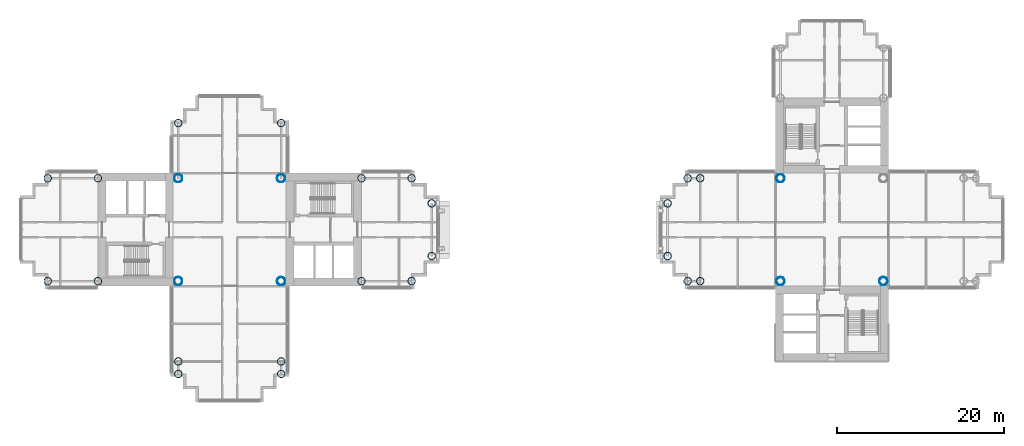
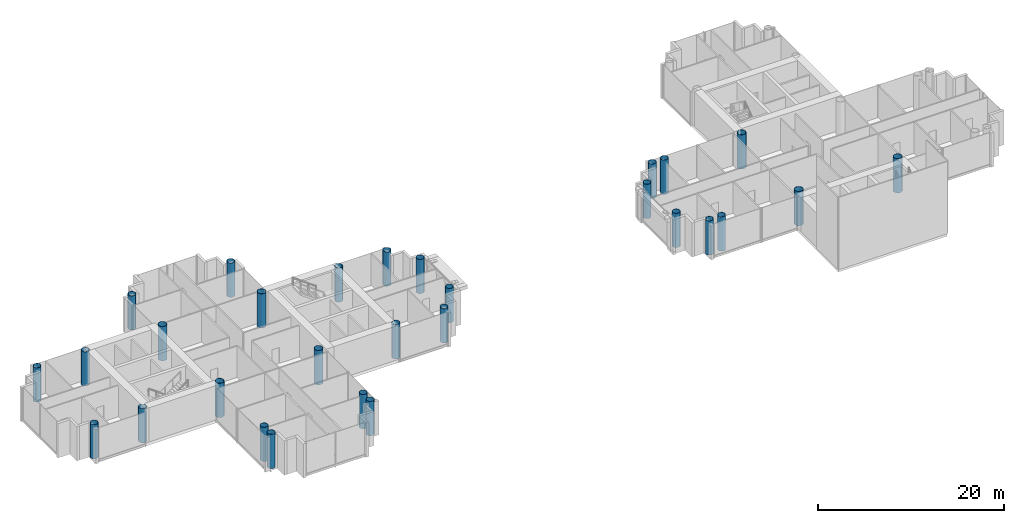
# One storey, part 1 of 20: 29 columns.
"""IFC4 building model written with IfcOpenShell, lengths in metres."""

import ifcopenshell
import ifcopenshell.guid

model = None  # the IFC model being written
_history = None  # IfcOwnerHistory: only IFC2X3 demands one
_inside = {}  # id of a spatial element -> (the spatial element, [elements in it])
_under = {}  # id of a project, library or spatial element -> (it, [spatial elements below it])
_declared = {}  # id of a project -> (the project, [libraries it declares])
_typed = {}  # id of a type object -> (the type object, [elements of that type])
_made_of = {}  # id of a material, layer set ... -> (it, [elements and type objects made of it])


def new_model(schema):
    """Start an empty IFC model of exactly this schema.

    Asked for "IFC4X3", IfcOpenShell would pick the latest addendum, in which some entities
    have other attributes; the version numbers below select the first issue.
    IFC2X3 requires an IfcOwnerHistory on every rooted entity: one is made here for all.
    """
    global model, _history
    if schema == "IFC4X3":
        model = ifcopenshell.file(schema_version=(4, 3, 0, 0))
    else:
        model = ifcopenshell.file(schema=schema)
    _inside.clear()
    _under.clear()
    _declared.clear()
    _typed.clear()
    _made_of.clear()
    _history = None
    if model.schema == "IFC2X3":
        org = make("IfcOrganization", Name="unknown")
        user = make(
            "IfcPersonAndOrganization",
            ThePerson=make("IfcPerson", FamilyName="unknown"),
            TheOrganization=org,
        )
        app = make(
            "IfcApplication",
            ApplicationDeveloper=org,
            Version="unknown",
            ApplicationFullName="unknown",
            ApplicationIdentifier="unknown",
        )
        _history = make(
            "IfcOwnerHistory",
            OwningUser=user,
            OwningApplication=app,
            ChangeAction="ADDED",
            CreationDate=0,
        )
    return model


def make(cls, **values):
    """One entity of the class cls with the attributes given. An attribute that is None is left unset."""
    return model.create_entity(
        cls, **{name: value for name, value in values.items() if value is not None}
    )


def rooted(cls, **values):
    """An entity with a GlobalId (a new one), such as an element, a storey or a relation."""
    return make(cls, GlobalId=ifcopenshell.guid.new(), OwnerHistory=_history, **values)


def si_unit(unit_type, name, prefix=None):
    """IfcSIUnit, for example si_unit("LENGTHUNIT", "METRE", prefix="MILLI")."""
    return make("IfcSIUnit", UnitType=unit_type, Prefix=prefix, Name=name)


def assignment(units):
    """IfcUnitAssignment: the units of a project."""
    return None if units is None else make("IfcUnitAssignment", Units=units)


def point(xyz):
    """IfcCartesianPoint."""
    return None if xyz is None else make("IfcCartesianPoint", Coordinates=xyz)


def direction(xyz):
    """IfcDirection."""
    return None if xyz is None else make("IfcDirection", DirectionRatios=xyz)


def frame(location, z_axis=None, x_axis=None):
    """IfcAxis2Placement3D, a coordinate frame: its origin and axes. An axis left out is left unset."""
    return make(
        "IfcAxis2Placement3D",
        Location=point(location),
        Axis=direction(z_axis),
        RefDirection=direction(x_axis),
    )


def frame_2d(location, x_axis=None):
    """IfcAxis2Placement2D, a coordinate frame in the plane: its origin and x axis."""
    return make(
        "IfcAxis2Placement2D", Location=point(location), RefDirection=direction(x_axis)
    )


def origin():
    """The frame at (0, 0, 0) with its axes left unset."""
    return frame((0.0, 0.0, 0.0))


def origin_2d():
    """The frame at (0, 0) in the plane with its x axis left unset."""
    return frame_2d((0.0, 0.0))


def place(relative_to, where):
    """IfcLocalPlacement: puts the frame where relative to a parent placement (None: the world)."""
    return make(
        "IfcLocalPlacement", PlacementRelTo=relative_to, RelativePlacement=where
    )


def context(
    kind, dimensions, precision=None, world=None, true_north=None, identifier=None
):
    """IfcGeometricRepresentationContext, for example the 3D "Model" context."""
    return make(
        "IfcGeometricRepresentationContext",
        ContextIdentifier=identifier,
        ContextType=kind,
        CoordinateSpaceDimension=dimensions,
        Precision=precision,
        WorldCoordinateSystem=world,
        TrueNorth=true_north,
    )


def subcontext(parent, identifier, kind, view, scale=None):
    """IfcGeometricRepresentationSubContext, for example "Body" below "Model"."""
    return make(
        "IfcGeometricRepresentationSubContext",
        ContextIdentifier=identifier,
        ContextType=kind,
        ParentContext=parent,
        TargetScale=scale,
        TargetView=view,
    )


def project(units=None, contexts=None):
    """IfcProject with its units and contexts."""
    return rooted(
        "IfcProject",
        Name="project",
        RepresentationContexts=contexts,
        UnitsInContext=assignment(units),
    )


def spatial(cls, under=None, at=None, **own):
    """A site, building, storey or space (cls), placed at a placement, below another one or the project."""
    s = rooted(cls, ObjectPlacement=at, **own)
    if under is not None:
        _under.setdefault(under.id(), (under, []))[1].append(s)
    return s


def profile(cls, at=None, kind="AREA", **sizes):
    """A parametric profile (cls). Its sizes go by their IFC names, for example OverallWidth=200.0."""
    return make(cls, ProfileType=kind, Position=at, **sizes)


def hollow_circle(**sizes):
    """IfcCircleHollowProfileDef."""
    return profile("IfcCircleHollowProfileDef", **sizes)


def extrude(swept, where, along, depth):
    """IfcExtrudedAreaSolid: the profile swept, set in the frame where, extruded along a direction by depth."""
    return make(
        "IfcExtrudedAreaSolid",
        SweptArea=swept,
        Position=where,
        ExtrudedDirection=direction(along),
        Depth=depth,
    )


def shape(context_of_items, identifier, shape_type, items):
    """IfcShapeRepresentation: the items that make up one representation, for example the "Body"."""
    return make(
        "IfcShapeRepresentation",
        ContextOfItems=context_of_items,
        RepresentationIdentifier=identifier,
        RepresentationType=shape_type,
        Items=items,
    )


def material(Name=None, Category=None):
    """IfcMaterial."""
    return make("IfcMaterial", Name=Name, Category=Category)


def material_profile(
    of_material, cross_section, Name=None, Category=None, Priority=None
):
    """IfcMaterialProfile: a cross section and its material."""
    return make(
        "IfcMaterialProfile",
        Name=Name,
        Material=of_material,
        Profile=cross_section,
        Priority=Priority,
        Category=Category,
    )


def profile_set(profiles, Name=None, composite=None):
    """IfcMaterialProfileSet."""
    return make(
        "IfcMaterialProfileSet",
        Name=Name,
        MaterialProfiles=profiles,
        CompositeProfile=composite,
    )


def made_of(thing, what):
    """Note that an element or type object is made of a material, layer set ...; save() writes the relation."""
    if what is not None:
        _made_of.setdefault(what.id(), (what, []))[1].append(thing)
    return thing


def type_object(cls, material=None, **own):
    """A type object (cls), such as IfcWallType, which elements share."""
    return made_of(rooted(cls, **own), material)


def element(
    cls,
    number,
    at=None,
    inside=None,
    cuts=None,
    type_object=None,
    material=None,
    context=None,
    identifier="Body",
    shape_type=None,
    held_by="IfcProductDefinitionShape",
    body=None,
    shapes=None,
    **own,
):
    """One element of the class cls, such as IfcWall. Its Tag is "e" and its number.

    at: its placement. inside: the storey or other place that contains it. cuts: it is an
    opening in that element (IfcRelVoidsElement). A single representation is given by context,
    identifier, shape_type and body (its items); several are given by shapes. held_by: the class
    of the entity that holds the representations. save() writes the other relations.
    """
    e = rooted(cls, Tag="e%d" % number, ObjectPlacement=at, **own)
    if body is not None:
        shapes = [shape(context, identifier, shape_type, body)]
    if shapes is not None:
        e.Representation = make(held_by, Representations=shapes)
    if inside is not None:
        _inside.setdefault(inside.id(), (inside, []))[1].append(e)
    if cuts is not None:
        rooted(
            "IfcRelVoidsElement", RelatingBuildingElement=cuts, RelatedOpeningElement=e
        )
    if type_object is not None:
        _typed.setdefault(type_object.id(), (type_object, []))[1].append(e)
    return made_of(e, material)


def aggregate(whole, parts):
    """IfcRelAggregates: a whole, such as a stair, and the parts it consists of."""
    return rooted("IfcRelAggregates", RelatingObject=whole, RelatedObjects=parts)


def save(model, path):
    """Write the relations noted so far, then the file.

    IfcRelAggregates (storeys below a building ...), IfcRelContainedInSpatialStructure (elements
    in a storey), IfcRelDefinesByType, IfcRelAssociatesMaterial and IfcRelDeclares: one each for
    every whole, place, type object, material and project.
    """
    for whole, parts in _under.values():
        aggregate(whole, parts)
    for where, things in _inside.values():
        rooted(
            "IfcRelContainedInSpatialStructure",
            RelatedElements=things,
            RelatingStructure=where,
        )
    for kind, things in _typed.values():
        rooted("IfcRelDefinesByType", RelatedObjects=things, RelatingType=kind)
    for what, things in _made_of.values():
        rooted("IfcRelAssociatesMaterial", RelatedObjects=things, RelatingMaterial=what)
    for by, libraries in _declared.values():
        rooted("IfcRelDeclares", RelatingContext=by, RelatedDefinitions=libraries)
    model.write(path)


model = new_model("IFC4")

# Units and contexts
model_context = context("Model", 3, precision=1e-05, world=origin(), true_north=direction((0.0, 1.0)))
body_context = subcontext(model_context, "Body", "Model", "MODEL_VIEW")
ifc_project = project(units=[si_unit("LENGTHUNIT", "METRE"), si_unit("AREAUNIT", "SQUARE_METRE"), si_unit("VOLUMEUNIT", "CUBIC_METRE"), si_unit("PLANEANGLEUNIT", "RADIAN"), si_unit("MASSUNIT", "GRAM", prefix="KILO")], contexts=[model_context])

# Site, building, storey
site_placement = place(None, origin())
site = spatial("IfcSite", under=ifc_project, at=site_placement, CompositionType="ELEMENT")
building_placement = place(site_placement, origin())
building = spatial("IfcBuilding", under=site, at=building_placement, Name="Ipe Terrace Towers", CompositionType="ELEMENT")
storey_placement = place(building_placement, frame((0.0, 0.0, 124.199951171875)))
storey = spatial("IfcBuildingStorey", under=building, at=storey_placement, Name="L34", CompositionType="ELEMENT", Elevation=124.199951171875)

# Columns
ifc_material_1 = material(Name="Steel S355 tube with Concrete C60/75 fill", Category="concrete")
ifc_material_profile_1 = material_profile(ifc_material_1, hollow_circle(Radius=0.5, WallThickness=0.035888671875, at=origin_2d()), Name="CHS-1000x36")
ifc_profile_set_1 = profile_set([ifc_material_profile_1], Name="Steel S355 tube with Concrete C60/75 fill")
column_type_1 = type_object("IfcColumnType", Name="CH01 COLUMN CHS-1000x36", PredefinedType="COLUMN", material=ifc_profile_set_1)
for number, where, z_axis, x_axis, name in (
    (1, (-42.14990234375, -6.14990234375, 0.0), (0.0, 0.0, 1.0), (1.0, 0.0, 0.0), "Column T1-C-E01"),
    (2, (-29.85009765625, -6.14990234375, 0.0), (0.0, 0.0, 1.0), (1.0, 0.0, 0.0), "Column T1-C-E02"),
    (3, (-29.85009765625, 6.14990234375, 0.0), (0.0, 0.0, 1.0), (1.0, 0.0, 0.0), "Column T1-C-E03"),
    (4, (-42.14990234375, 6.14990234375, 0.0), (0.0, 0.0, 1.0), (1.0, 0.0, 0.0), "Column T1-C-E04"),
    (5, (42.14990234375, -6.14990234375, 0.0), (0.0, 0.0, 1.0), (1.0, 0.0, 0.0), "Column T2-C-E01"),
    (6, (29.85009765625, 6.14990234375, 0.0), (0.0, 0.0, 1.0), (1.0, 0.0, 0.0), "Column T2-C-E03"),
    (7, (29.85009765625, -6.14990234375, 0.0), (0.0, 0.0, 1.0), (1.0, 0.0, 0.0), "Column T2-C-E04"),
):
    element("IfcColumn", number, at=place(storey_placement, frame(where, z_axis=z_axis, x_axis=x_axis)), inside=storey, type_object=column_type_1, Name=name, PredefinedType="COLUMN", context=body_context, shape_type="SweptSolid", body=[
        extrude(hollow_circle(Radius=0.5, WallThickness=0.035888671875, at=origin_2d()), origin(), (0.0, 0.0, 1.0), 4.5),
    ])
ifc_material_2 = material(Name="Steel S355 tube with Concrete C60/75 fill", Category="concrete")
ifc_material_profile_2 = material_profile(ifc_material_2, hollow_circle(Radius=0.449951171875, WallThickness=0.031982421875, at=origin_2d()), Name="CHS-900x32")
ifc_profile_set_2 = profile_set([ifc_material_profile_2], Name="Steel S355 tube with Concrete C60/75 fill")
column_type_2 = type_object("IfcColumnType", Name="CH10 COLUMN CHS-900x32", PredefinedType="COLUMN", material=ifc_profile_set_2)
for number, where, z_axis, x_axis, name in (
    (8, (-20.25, -6.14990234375, 0.0), (0.0, 0.0, 1.0), (1.0, 0.0, 0.0), "Column T1-C-A01"),
    (9, (-20.25, 6.14990234375, 0.0), (0.0, 0.0, 1.0), (1.0, 0.0, 0.0), "Column T1-C-A02"),
    (10, (-14.25, -6.14990234375, 0.0), (0.0, 0.0, 1.0), (1.0, 0.0, 0.0), "Column T1-C-A03"),
    (11, (-14.25, 6.14990234375, 0.0), (0.0, 0.0, 1.0), (1.0, 0.0, 0.0), "Column T1-C-A04"),
    (12, (-11.85009765625, -3.14990234375, 0.0), (0.0, 0.0, 1.0), (1.0, 0.0, 0.0), "Column T1-C-A05"),
    (13, (-11.85009765625, 3.14990234375, 0.0), (0.0, 0.0, 1.0), (1.0, 0.0, 0.0), "Column T1-C-A06"),
    (14, (-29.85009765625, 12.75, 0.0), (0.0, 0.0, 1.0), (1.0, 0.0, 0.0), "Column T1-C-B01"),
    (15, (-42.14990234375, 12.75, 0.0), (0.0, 0.0, 1.0), (1.0, 0.0, 0.0), "Column T1-C-B02"),
    (16, (-51.75, -6.14990234375, 0.0), (0.0, 0.0, 1.0), (1.0, 0.0, 0.0), "Column T1-C-C01"),
    (17, (-51.75, 6.14990234375, 0.0), (0.0, 0.0, 1.0), (1.0, 0.0, 0.0), "Column T1-C-C02"),
    (18, (-57.75, -6.14990234375, 0.0), (0.0, 0.0, 1.0), (1.0, 0.0, 0.0), "Column T1-C-C03"),
    (19, (-57.75, 6.14990234375, 0.0), (0.0, 0.0, 1.0), (1.0, 0.0, 0.0), "Column T1-C-C04"),
    (20, (-42.14990234375, -15.75, 0.0), (0.0, 0.0, 1.0), (1.0, 0.0, 0.0), "Column T1-C-D03"),
    (21, (-29.85009765625, -15.75, 0.0), (0.0, 0.0, 1.0), (1.0, 0.0, 0.0), "Column T1-C-D04"),
    (22, (-42.14990234375, -17.25, 0.0), (0.0, 0.0, 1.0), (1.0, 0.0, 0.0), "Column T1-C-D05"),
    (23, (-29.85009765625, -17.25, 0.0), (0.0, 0.0, 1.0), (1.0, 0.0, 0.0), "Column T1-C-D06"),
    (24, (20.25, 6.14990234375, 0.0), (0.0, 0.0, 1.0), (1.0, 0.0, 0.0), "Column T2-C-B03"),
    (25, (20.25, -6.14990234375, 0.0), (0.0, 0.0, 1.0), (1.0, 0.0, 0.0), "Column T2-C-B04"),
    (26, (18.75, 6.14990234375, 0.0), (0.0, 0.0, 1.0), (1.0, 0.0, 0.0), "Column T2-C-B05"),
    (27, (18.75, -6.14990234375, 0.0), (0.0, 0.0, 1.0), (1.0, 0.0, 0.0), "Column T2-C-B06"),
    (28, (16.35009765625, 3.14990234375, 0.0), (0.0, 0.0, 1.0), (1.0, 0.0, 0.0), "Column T2-C-B07"),
    (29, (16.35009765625, -3.14990234375, 0.0), (0.0, 0.0, 1.0), (1.0, 0.0, 0.0), "Column T2-C-B08"),
):
    element("IfcColumn", number, at=place(storey_placement, frame(where, z_axis=z_axis, x_axis=x_axis)), inside=storey, type_object=column_type_2, Name=name, PredefinedType="COLUMN", context=body_context, shape_type="SweptSolid", body=[
        extrude(hollow_circle(Radius=0.449951171875, WallThickness=0.031982421875, at=origin_2d()), origin(), (0.0, 0.0, 1.0), 4.5),
    ])

save(model, "model.ifc")
